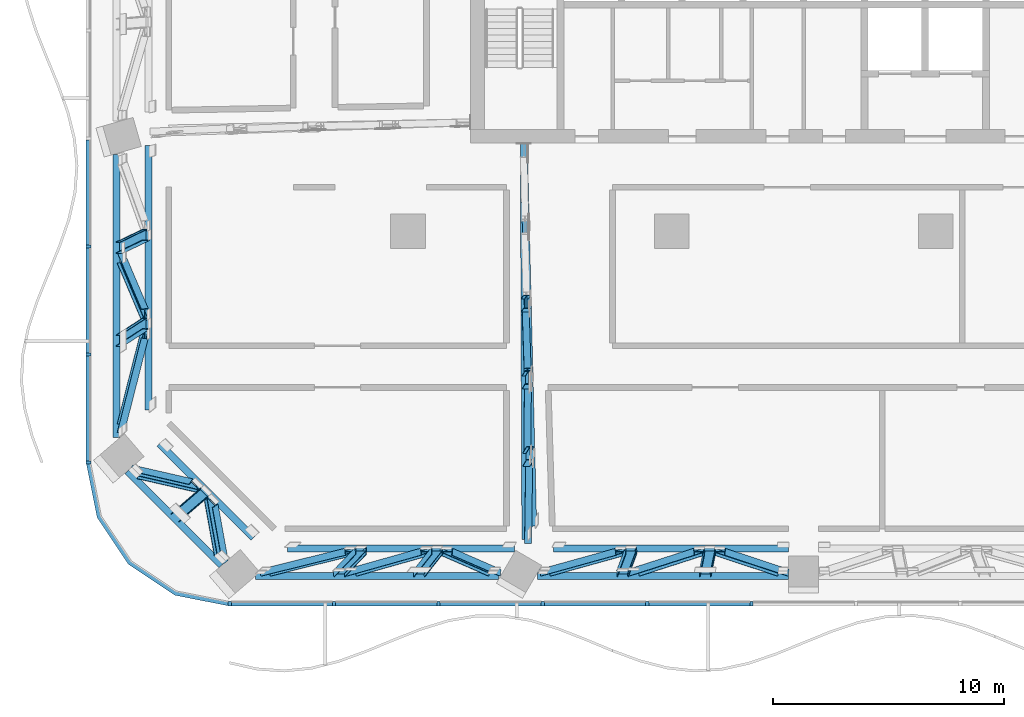
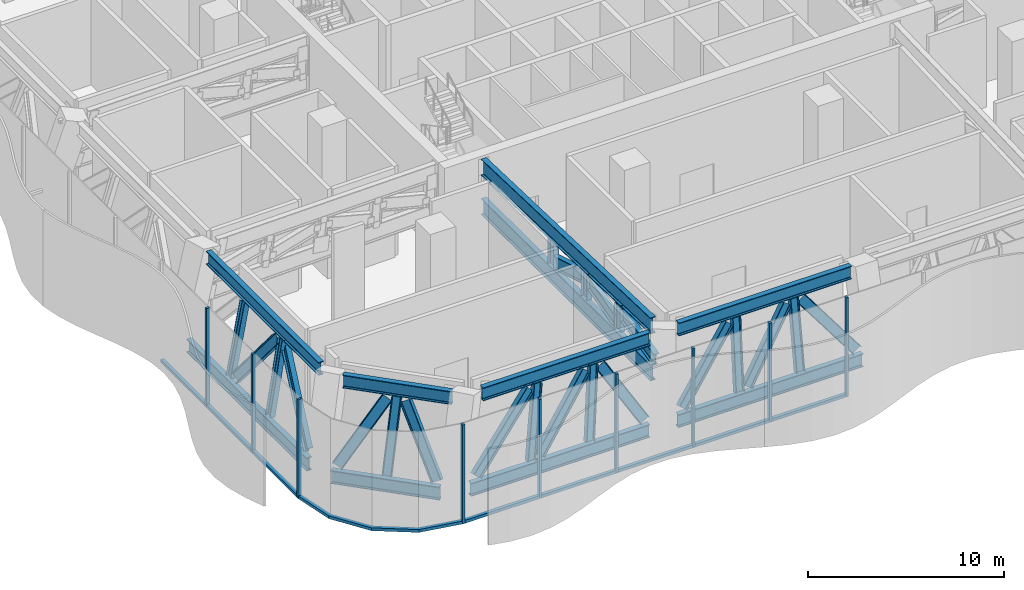
# One storey, part 2 of 32: 51 members, 3 elements without a shape of their own.
"""IFC4 building model written with IfcOpenShell, lengths in metres."""

from ifc_helpers import new_model, si_unit, direction, frame, origin, origin_2d, place, context, subcontext, project, spatial, polyline, rectangle, i_section, outline, extrude, material, material_profile, profile_set, type_object, element, aggregate, save


model = new_model("IFC4")

# Units and contexts
model_context = context("Model", 3, precision=1e-05, world=origin(), true_north=direction((0.0, 1.0)))
body_context = subcontext(model_context, "Body", "Model", "MODEL_VIEW")
ifc_project = project(units=[si_unit("LENGTHUNIT", "METRE"), si_unit("AREAUNIT", "SQUARE_METRE"), si_unit("VOLUMEUNIT", "CUBIC_METRE"), si_unit("PLANEANGLEUNIT", "RADIAN"), si_unit("MASSUNIT", "GRAM", prefix="KILO")], contexts=[model_context])

# Site, building, storey
site_placement = place(None, origin())
site = spatial("IfcSite", under=ifc_project, at=site_placement, CompositionType="ELEMENT")
building_placement = place(site_placement, origin())
building = spatial("IfcBuilding", under=site, at=building_placement, Name="Mopane Tessera Tower", CompositionType="ELEMENT")
storey_placement = place(building_placement, frame((0.0, 0.0, 88.60009765625)))
storey = spatial("IfcBuildingStorey", under=building, at=storey_placement, Name="L17", CompositionType="ELEMENT", Elevation=88.60009765625)

# Curtain wall, members
ifc_material_1 = material(Name="Aluminium frame", Category="aluminium")
curtain_wall_type = type_object("IfcCurtainWallType", Name="Plant floor unitised wall", PredefinedType="NOTDEFINED", material=ifc_material_1)
curtain_wall_1_placement = place(storey_placement, origin())
curtain_wall_1 = element("IfcCurtainWall", 1, at=curtain_wall_1_placement, inside=storey, type_object=curtain_wall_type, Name="e:cw:L17:S:0", PredefinedType="NOTDEFINED")
ifc_material_2 = material(Name="Aluminium frame", Category="aluminium")
ifc_material_profile_1 = material_profile(ifc_material_2, rectangle(XDim=0.139892578125, YDim=0.199951171875, at=origin_2d()))
ifc_profile_set_1 = profile_set([ifc_material_profile_1], Name="Aluminium frame")
member_type_1 = type_object("IfcMemberType", Name="Aluminium mullion 140 x 200", PredefinedType="MULLION", material=ifc_profile_set_1)
member_1_placement = place(storey_placement, frame((-24.800048828125, -27.10009765625, -0.60009765625), z_axis=(0.0, 0.0, 1.0), x_axis=(1.0, 0.0, 0.0)))
member_1 = element("IfcMember", 2, at=member_1_placement, type_object=member_type_1, Name="e:cw:L17:S:0:mu0", PredefinedType="MULLION", context=body_context, shape_type="SweptSolid", body=[
    extrude(rectangle(XDim=0.139892578125, YDim=0.199951171875, at=origin_2d()), origin(), (0.0, 0.0, 1.0), 6.14990234375),
])
member_2_placement = place(storey_placement, frame((-20.291015625, -27.10009765625, -0.60009765625), z_axis=(0.0, 0.0, 1.0), x_axis=(1.0, 0.0, 0.0)))
member_2 = element("IfcMember", 3, at=member_2_placement, type_object=member_type_1, Name="e:cw:L17:S:0:mu1", PredefinedType="MULLION", context=body_context, shape_type="SweptSolid", body=[
    extrude(rectangle(XDim=0.139892578125, YDim=0.199951171875, at=origin_2d()), origin(), (0.0, 0.0, 1.0), 6.14990234375),
])
member_3_placement = place(storey_placement, frame((-15.78173828125, -27.10009765625, -0.60009765625), z_axis=(0.0, 0.0, 1.0), x_axis=(1.0, 0.0, 0.0)))
member_3 = element("IfcMember", 4, at=member_3_placement, type_object=member_type_1, Name="e:cw:L17:S:0:mu2", PredefinedType="MULLION", context=body_context, shape_type="SweptSolid", body=[
    extrude(rectangle(XDim=0.139892578125, YDim=0.199951171875, at=origin_2d()), origin(), (0.0, 0.0, 1.0), 6.14990234375),
])
member_4_placement = place(storey_placement, frame((-11.272705078125, -27.10009765625, -0.60009765625), z_axis=(0.0, 0.0, 1.0), x_axis=(1.0, 0.0, 0.0)))
member_4 = element("IfcMember", 5, at=member_4_placement, type_object=member_type_1, Name="e:cw:L17:S:0:mu3", PredefinedType="MULLION", context=body_context, shape_type="SweptSolid", body=[
    extrude(rectangle(XDim=0.139892578125, YDim=0.199951171875, at=origin_2d()), origin(), (0.0, 0.0, 1.0), 6.14990234375),
])
member_5_placement = place(storey_placement, frame((-6.763671875, -27.10009765625, -0.60009765625), z_axis=(0.0, 0.0, 1.0), x_axis=(1.0, 0.0, 0.0)))
member_5 = element("IfcMember", 6, at=member_5_placement, type_object=member_type_1, Name="e:cw:L17:S:0:mu4", PredefinedType="MULLION", context=body_context, shape_type="SweptSolid", body=[
    extrude(rectangle(XDim=0.139892578125, YDim=0.199951171875, at=origin_2d()), origin(), (0.0, 0.0, 1.0), 6.14990234375),
])
member_6_placement = place(storey_placement, frame((-2.254638671875, -27.10009765625, -0.60009765625), z_axis=(0.0, 0.0, 1.0), x_axis=(1.0, 0.0, 0.0)))
member_6 = element("IfcMember", 7, at=member_6_placement, type_object=member_type_1, Name="e:cw:L17:S:0:mu5", PredefinedType="MULLION", context=body_context, shape_type="SweptSolid", body=[
    extrude(rectangle(XDim=0.139892578125, YDim=0.199951171875, at=origin_2d()), origin(), (0.0, 0.0, 1.0), 6.14990234375),
])

curtain_wall_2_placement = place(storey_placement, origin())
curtain_wall_2 = element("IfcCurtainWall", 8, at=curtain_wall_2_placement, inside=storey, type_object=curtain_wall_type, Name="e:cw:L17:W:0", PredefinedType="NOTDEFINED")
member_7_placement = place(storey_placement, frame((-30.89990234375, -11.666748046875, -0.60009765625), z_axis=(0.0, 0.0, 1.0), x_axis=(0.0, -1.0, 0.0)))
member_7 = element("IfcMember", 9, at=member_7_placement, type_object=member_type_1, Name="e:cw:L17:W:0:mu7", PredefinedType="MULLION", context=body_context, shape_type="SweptSolid", body=[
    extrude(rectangle(XDim=0.139892578125, YDim=0.199951171875, at=origin_2d()), origin(), (0.0, 0.0, 1.0), 6.14990234375),
])
member_8_placement = place(storey_placement, frame((-30.89990234375, -16.333251953125, -0.60009765625), z_axis=(0.0, 0.0, 1.0), x_axis=(0.0, -1.0, 0.0)))
member_8 = element("IfcMember", 10, at=member_8_placement, type_object=member_type_1, Name="e:cw:L17:W:0:mu8", PredefinedType="MULLION", context=body_context, shape_type="SweptSolid", body=[
    extrude(rectangle(XDim=0.139892578125, YDim=0.199951171875, at=origin_2d()), origin(), (0.0, 0.0, 1.0), 6.14990234375),
])
member_9_placement = place(storey_placement, frame((-30.89990234375, -21.0, -0.60009765625), z_axis=(0.0, 0.0, 1.0), x_axis=(0.0, -1.0, 0.0)))
member_9 = element("IfcMember", 11, at=member_9_placement, type_object=member_type_1, Name="e:cw:L17:W:0:mu9", PredefinedType="MULLION", context=body_context, shape_type="SweptSolid", body=[
    extrude(rectangle(XDim=0.139892578125, YDim=0.199951171875, at=origin_2d()), origin(), (0.0, 0.0, 1.0), 6.14990234375),
])

# Member
ifc_material_3 = material(Name="Aluminium frame", Category="aluminium")
ifc_material_profile_2 = material_profile(ifc_material_3, rectangle(XDim=0.199951171875, YDim=0.179931640625, at=origin_2d()))
ifc_profile_set_2 = profile_set([ifc_material_profile_2], Name="Aluminium frame")
member_type_2 = type_object("IfcMemberType", Name="Aluminium transom 200 x 180", PredefinedType="USERDEFINED", material=ifc_profile_set_2)
member_10_placement = place(storey_placement, frame((-24.72998046875, -27.10009765625, -0.510009765625), z_axis=(1.0, 0.0, 0.0), x_axis=(0.0, 1.0, 0.0)))
member_10 = element("IfcMember", 12, at=member_10_placement, type_object=member_type_2, Name="e:cw:L17:S:0:tr0", ObjectType="TRANSOM", PredefinedType="USERDEFINED", context=body_context, shape_type="SweptSolid", body=[
    extrude(rectangle(XDim=0.199951171875, YDim=0.179931640625, at=origin_2d()), origin(), (0.0, 0.0, 1.0), 4.369140625),
])

member_11_placement = place(storey_placement, frame((-20.220947265625, -27.10009765625, -0.510009765625), z_axis=(1.0, 0.0, 0.0), x_axis=(0.0, 1.0, 0.0)))
member_11 = element("IfcMember", 13, at=member_11_placement, type_object=member_type_2, Name="e:cw:L17:S:0:tr1", ObjectType="TRANSOM", PredefinedType="USERDEFINED", context=body_context, shape_type="SweptSolid", body=[
    extrude(rectangle(XDim=0.199951171875, YDim=0.179931640625, at=origin_2d()), origin(), (0.0, 0.0, 1.0), 4.369140625),
])

member_12_placement = place(storey_placement, frame((-15.7119140625, -27.10009765625, -0.510009765625), z_axis=(1.0, 0.0, 0.0), x_axis=(0.0, 1.0, 0.0)))
member_12 = element("IfcMember", 14, at=member_12_placement, type_object=member_type_2, Name="e:cw:L17:S:0:tr2", ObjectType="TRANSOM", PredefinedType="USERDEFINED", context=body_context, shape_type="SweptSolid", body=[
    extrude(rectangle(XDim=0.199951171875, YDim=0.179931640625, at=origin_2d()), origin(), (0.0, 0.0, 1.0), 4.369140625),
])

member_13_placement = place(storey_placement, frame((-11.20263671875, -27.10009765625, -0.510009765625), z_axis=(1.0, 0.0, 0.0), x_axis=(0.0, 1.0, 0.0)))
member_13 = element("IfcMember", 15, at=member_13_placement, type_object=member_type_2, Name="e:cw:L17:S:0:tr3", ObjectType="TRANSOM", PredefinedType="USERDEFINED", context=body_context, shape_type="SweptSolid", body=[
    extrude(rectangle(XDim=0.199951171875, YDim=0.179931640625, at=origin_2d()), origin(), (0.0, 0.0, 1.0), 4.368896484375),
])

member_14_placement = place(storey_placement, frame((-6.693603515625, -27.10009765625, -0.510009765625), z_axis=(1.0, 0.0, 0.0), x_axis=(0.0, 1.0, 0.0)))
member_14 = element("IfcMember", 16, at=member_14_placement, type_object=member_type_2, Name="e:cw:L17:S:0:tr4", ObjectType="TRANSOM", PredefinedType="USERDEFINED", context=body_context, shape_type="SweptSolid", body=[
    extrude(rectangle(XDim=0.199951171875, YDim=0.179931640625, at=origin_2d()), origin(), (0.0, 0.0, 1.0), 4.369140625),
])

aggregate(curtain_wall_1, [member_1, member_2, member_3, member_4, member_5, member_6, member_10, member_11, member_12, member_13, member_14])

member_15_placement = place(storey_placement, frame((-30.89990234375, -7.070068359375, -0.510009765625), z_axis=(0.0, -1.0, 0.0), x_axis=(1.0, 0.0, 0.0)))
member_15 = element("IfcMember", 17, at=member_15_placement, type_object=member_type_2, Name="e:cw:L17:W:0:tr6", ObjectType="TRANSOM", PredefinedType="USERDEFINED", context=body_context, shape_type="SweptSolid", body=[
    extrude(rectangle(XDim=0.199951171875, YDim=0.179931640625, at=origin_2d()), origin(), (0.0, 0.0, 1.0), 4.526611328125),
])

member_16_placement = place(storey_placement, frame((-30.89990234375, -11.736572265625, -0.510009765625), z_axis=(0.0, -1.0, 0.0), x_axis=(1.0, 0.0, 0.0)))
member_16 = element("IfcMember", 18, at=member_16_placement, type_object=member_type_2, Name="e:cw:L17:W:0:tr7", ObjectType="TRANSOM", PredefinedType="USERDEFINED", context=body_context, shape_type="SweptSolid", body=[
    extrude(rectangle(XDim=0.199951171875, YDim=0.179931640625, at=origin_2d()), origin(), (0.0, 0.0, 1.0), 4.52685546875),
])

member_17_placement = place(storey_placement, frame((-30.89990234375, -16.4033203125, -0.510009765625), z_axis=(0.0, -1.0, 0.0), x_axis=(1.0, 0.0, 0.0)))
member_17 = element("IfcMember", 19, at=member_17_placement, type_object=member_type_2, Name="e:cw:L17:W:0:tr8", ObjectType="TRANSOM", PredefinedType="USERDEFINED", context=body_context, shape_type="SweptSolid", body=[
    extrude(rectangle(XDim=0.199951171875, YDim=0.179931640625, at=origin_2d()), origin(), (0.0, 0.0, 1.0), 4.526611328125),
])

aggregate(curtain_wall_2, [member_7, member_8, member_9, member_15, member_16, member_17])

# Curtain wall, member
curtain_wall_3_placement = place(storey_placement, origin())
curtain_wall_3 = element("IfcCurtainWall", 20, at=curtain_wall_3_placement, inside=storey, type_object=curtain_wall_type, Name="e:cw:L17:CW", PredefinedType="NOTDEFINED")
member_18_placement = place(storey_placement, frame((0.0, 0.0, -0.60009765625)))
member_18 = element("IfcMember", 21, at=member_18_placement, type_object=member_type_2, Name="e:cw:L17:CW:tr", ObjectType="TRANSOM", PredefinedType="USERDEFINED", context=body_context, shape_type="SweptSolid", body=[
    extrude(outline(polyline([(-30.800048828125, -21.0), (-30.34326171875, -23.296142578125), (-29.042724609375, -25.24267578125), (-27.09619140625, -26.543212890625), (-24.800048828125, -27.0), (-24.800048828125, -27.199951171875), (-27.172607421875, -26.72802734375), (-29.18408203125, -25.384033203125), (-30.528076171875, -23.37255859375), (-31.0, -21.0), (-30.800048828125, -21.0)])), origin(), (0.0, 0.0, 1.0), 0.179931640625),
])
aggregate(curtain_wall_3, [member_18])

# Members
ifc_material_4 = material(Name="Structural steel S460", Category="steel")
ifc_material_profile_3 = material_profile(ifc_material_4, i_section(OverallWidth=0.302978515625, OverallDepth=0.81396484375, WebThickness=0.02099609375, FlangeThickness=0.0400390625, FilletRadius=0.030029296875, at=origin_2d()))
ifc_profile_set_3 = profile_set([ifc_material_profile_3], Name="Structural steel S460")
member_type_3 = type_object("IfcMemberType", Name="Belt truss chord HE 800 M", PredefinedType="CHORD", material=ifc_profile_set_3)
member_19_placement = place(storey_placement, frame((-23.68896484375, -25.898193359375, 0.406982421875), z_axis=(1.0, 0.0, 0.0), x_axis=(0.0, 1.0, 0.0)))
element("IfcMember", 22, at=member_19_placement, inside=storey, type_object=member_type_3, Name="Belt truss bottom chord L17 S0-S1", PredefinedType="CHORD", context=body_context, shape_type="SweptSolid", body=[
    extrude(i_section(OverallWidth=0.302978515625, OverallDepth=0.81396484375, WebThickness=0.02099609375, FlangeThickness=0.0400390625, FilletRadius=0.030029296875, at=origin_2d()), origin(), (0.0, 0.0, 1.0), 10.508056640625),
])
member_20_placement = place(storey_placement, frame((-22.3076171875, -24.71435546875, 5.142822265625), z_axis=(1.0, 0.0, 0.0), x_axis=(0.0, 1.0, 0.0)))
element("IfcMember", 23, at=member_20_placement, inside=storey, type_object=member_type_3, Name="Belt truss top chord L17 S0-S1", PredefinedType="CHORD", context=body_context, shape_type="SweptSolid", body=[
    extrude(i_section(OverallWidth=0.302978515625, OverallDepth=0.81396484375, WebThickness=0.02099609375, FlangeThickness=0.0400390625, FilletRadius=0.030029296875, at=origin_2d()), origin(), (0.0, 0.0, 1.0), 9.8173828125),
])
member_21_placement = place(storey_placement, frame((-11.500244140625, -25.898193359375, 0.406982421875), z_axis=(1.0, 0.0, 0.0), x_axis=(0.0, 1.0, 0.0)))
element("IfcMember", 24, at=member_21_placement, inside=storey, type_object=member_type_3, Name="Belt truss bottom chord L17 S1-S2", PredefinedType="CHORD", context=body_context, shape_type="SweptSolid", body=[
    extrude(i_section(OverallWidth=0.302978515625, OverallDepth=0.81396484375, WebThickness=0.02099609375, FlangeThickness=0.0400390625, FilletRadius=0.030029296875, at=origin_2d()), origin(), (0.0, 0.0, 1.0), 10.850830078125),
])
member_22_placement = place(storey_placement, frame((-10.8095703125, -24.71435546875, 5.142822265625), z_axis=(1.0, 0.0, 0.0), x_axis=(0.0, 1.0, 0.0)))
element("IfcMember", 25, at=member_22_placement, inside=storey, type_object=member_type_3, Name="Belt truss top chord L17 S1-S2", PredefinedType="CHORD", context=body_context, shape_type="SweptSolid", body=[
    extrude(i_section(OverallWidth=0.302978515625, OverallDepth=0.81396484375, WebThickness=0.02099609375, FlangeThickness=0.0400390625, FilletRadius=0.030029296875, at=origin_2d()), origin(), (0.0, 0.0, 1.0), 10.16015625),
])
member_23_placement = place(storey_placement, frame((-29.681396484375, -7.684814453125, 0.406982421875), z_axis=(0.0, -1.0, 0.0), x_axis=(1.0, 0.0, 0.0)))
element("IfcMember", 26, at=member_23_placement, inside=storey, type_object=member_type_3, Name="Belt truss bottom chord L17 W2-W3", PredefinedType="CHORD", context=body_context, shape_type="SweptSolid", body=[
    extrude(i_section(OverallWidth=0.302978515625, OverallDepth=0.81396484375, WebThickness=0.02099609375, FlangeThickness=0.0400390625, FilletRadius=0.030029296875, at=origin_2d()), origin(), (0.0, 0.0, 1.0), 12.22802734375),
])
member_24_placement = place(storey_placement, frame((-28.300048828125, -7.290283203125, 5.142822265625), z_axis=(0.0, -1.0, 0.0), x_axis=(1.0, 0.0, 0.0)))
element("IfcMember", 27, at=member_24_placement, inside=storey, type_object=member_type_3, Name="Belt truss top chord L17 W2-W3", PredefinedType="CHORD", context=body_context, shape_type="SweptSolid", body=[
    extrude(i_section(OverallWidth=0.302978515625, OverallDepth=0.81396484375, WebThickness=0.02099609375, FlangeThickness=0.0400390625, FilletRadius=0.030029296875, at=origin_2d()), origin(), (0.0, 0.0, 1.0), 11.438720703125),
])
for number, where, z_axis, x_axis, name in (
    (28, (-29.21240234375, -21.3671875, 0.406982421875), (0.707106781187, -0.707106781187, 0.0), (0.707106781187, 0.707106781187, 0.0), "Belt truss bottom chord L17 W3-S0"),
    (29, (-27.8310546875, -20.18310546875, 5.142822265625), (0.707106781187, -0.707106781187, 0.0), (0.707106781187, 0.707106781187, 0.0), "Belt truss top chord L17 W3-S0"),
):
    element("IfcMember", number, at=place(storey_placement, frame(where, z_axis=z_axis, x_axis=x_axis)), inside=storey, type_object=member_type_3, Name=name, PredefinedType="CHORD", context=body_context, shape_type="SweptSolid", body=[
        extrude(i_section(OverallWidth=0.302978515625, OverallDepth=0.81396484375, WebThickness=0.02099609375, FlangeThickness=0.0400390625, FilletRadius=0.030029296875, at=origin_2d()), origin(), (0.0, 0.0, 1.0), 5.744873046875),
    ])
ifc_material_5 = material(Name="Structural steel S460", Category="steel")
ifc_material_profile_4 = material_profile(ifc_material_5, i_section(OverallWidth=0.300048828125, OverallDepth=0.60009765625, WebThickness=0.015380859375, FlangeThickness=0.030029296875, FilletRadius=0.027099609375, at=origin_2d()))
ifc_profile_set_4 = profile_set([ifc_material_profile_4], Name="Structural steel S460")
member_type_4 = type_object("IfcMemberType", Name="Belt truss diagonal HE 600 B", PredefinedType="BRACE", material=ifc_profile_set_4)
member_25_placement = place(storey_placement, frame((-23.262451171875, -25.7587890625, 0.96484375), z_axis=(0.699650362609, 0.173288160232, 0.693152640928), x_axis=(-0.123111197199, 0.984871165894, -0.121952530583)))
element("IfcMember", 30, at=member_25_placement, inside=storey, type_object=member_type_4, Name="Belt truss diagonal 0 L17 S0-S1", PredefinedType="BRACE", context=body_context, shape_type="SweptSolid", body=[
    extrude(i_section(OverallWidth=0.300048828125, OverallDepth=0.60009765625, WebThickness=0.015380859375, FlangeThickness=0.030029296875, FilletRadius=0.027099609375, at=origin_2d()), origin(), (0.0, 0.0, 1.0), 5.22265625),
])
member_26_placement = place(storey_placement, frame((-19.562744140625, -25.76220703125, 0.950927734375), z_axis=(0.653014036863, 0.183660197868, 0.734739136959), x_axis=(-0.121992744875, 0.98298979207, -0.13729107358)))
element("IfcMember", 31, at=member_26_placement, inside=storey, type_object=member_type_4, Name="Belt truss diagonal 1 L17 S0-S1", PredefinedType="BRACE", context=body_context, shape_type="SweptSolid", body=[
    extrude(i_section(OverallWidth=0.300048828125, OverallDepth=0.60009765625, WebThickness=0.015380859375, FlangeThickness=0.030029296875, FilletRadius=0.027099609375, at=origin_2d()), origin(), (0.0, 0.0, 1.0), 4.96484375),
])
member_27_placement = place(storey_placement, frame((-15.432373046875, -24.853759765625, 4.5849609375), z_axis=(0.486371976666, -0.211915951751, -0.847663807006), x_axis=(0.105491827337, 0.97728789438, -0.183792942911)))
element("IfcMember", 32, at=member_27_placement, inside=storey, type_object=member_type_4, Name="Belt truss diagonal 2 L17 S0-S1", PredefinedType="BRACE", context=body_context, shape_type="SweptSolid", body=[
    extrude(i_section(OverallWidth=0.300048828125, OverallDepth=0.60009765625, WebThickness=0.015380859375, FlangeThickness=0.030029296875, FilletRadius=0.027099609375, at=origin_2d()), origin(), (0.0, 0.0, 1.0), 4.270751953125),
])
member_28_placement = place(storey_placement, frame((-11.16748046875, -25.757080078125, 0.97119140625), z_axis=(0.658870753791, 0.182448917879, 0.729795671516), x_axis=(-0.122259863731, 0.983215333665, -0.135425748537)))
element("IfcMember", 33, at=member_28_placement, inside=storey, type_object=member_type_4, Name="Belt truss diagonal 0 L17 S1-S2", PredefinedType="BRACE", context=body_context, shape_type="SweptSolid", body=[
    extrude(i_section(OverallWidth=0.300048828125, OverallDepth=0.60009765625, WebThickness=0.015380859375, FlangeThickness=0.030029296875, FilletRadius=0.027099609375, at=origin_2d()), origin(), (0.0, 0.0, 1.0), 4.943115234375),
])
member_29_placement = place(storey_placement, frame((-7.345947265625, -25.760498046875, 0.957763671875), z_axis=(0.603618158077, 0.193342787828, 0.773475071114), x_axis=(-0.118954269211, 0.98113126867, -0.152418225533)))
element("IfcMember", 34, at=member_29_placement, inside=storey, type_object=member_type_4, Name="Belt truss diagonal 1 L17 S1-S2", PredefinedType="BRACE", context=body_context, shape_type="SweptSolid", body=[
    extrude(i_section(OverallWidth=0.300048828125, OverallDepth=0.60009765625, WebThickness=0.015380859375, FlangeThickness=0.030029296875, FilletRadius=0.027099609375, at=origin_2d()), origin(), (0.0, 0.0, 1.0), 4.69873046875),
])
member_30_placement = place(storey_placement, frame((-3.62939453125, -24.855224609375, 4.57861328125), z_axis=(0.593142183099, -0.195264880525, -0.781059522099), x_axis=(0.118076767336, 0.980750542203, -0.155519294574)))
element("IfcMember", 35, at=member_30_placement, inside=storey, type_object=member_type_4, Name="Belt truss diagonal 2 L17 S1-S2", PredefinedType="BRACE", context=body_context, shape_type="SweptSolid", body=[
    extrude(i_section(OverallWidth=0.300048828125, OverallDepth=0.60009765625, WebThickness=0.015380859375, FlangeThickness=0.030029296875, FilletRadius=0.027099609375, at=origin_2d()), origin(), (0.0, 0.0, 1.0), 4.61865234375),
])
member_31_placement = place(storey_placement, frame((-29.513916015625, -12.13525390625, 0.98095703125), z_axis=(0.233796253247, -0.550179423763, 0.8016494955), x_axis=(0.972285612305, 0.132303591116, -0.192760078548)))
element("IfcMember", 36, at=member_31_placement, inside=storey, type_object=member_type_4, Name="Belt truss diagonal 1 L17 W2-W3", PredefinedType="BRACE", context=body_context, shape_type="SweptSolid", body=[
    extrude(i_section(OverallWidth=0.300048828125, OverallDepth=0.60009765625, WebThickness=0.015380859375, FlangeThickness=0.030029296875, FilletRadius=0.027099609375, at=origin_2d()), origin(), (0.0, 0.0, 1.0), 4.4755859375),
])
member_32_placement = place(storey_placement, frame((-28.470703125, -15.44384765625, 4.557861328125), z_axis=(-0.188412877586, -0.739719572213, -0.645999645545), x_axis=(0.982089908077, -0.141916811889, -0.12393155755)))
element("IfcMember", 37, at=member_32_placement, inside=storey, type_object=member_type_4, Name="Belt truss diagonal 2 L17 W2-W3", PredefinedType="BRACE", context=body_context, shape_type="SweptSolid", body=[
    extrude(i_section(OverallWidth=0.300048828125, OverallDepth=0.60009765625, WebThickness=0.015380859375, FlangeThickness=0.030029296875, FilletRadius=0.027099609375, at=origin_2d()), origin(), (0.0, 0.0, 1.0), 5.52001953125),
])
member_33_placement = place(storey_placement, frame((-28.890869140625, -21.40576171875, 0.929443359375), z_axis=(0.569875535143, -0.130407528995, 0.811317293558), x_axis=(0.557621124298, 0.786576730003, -0.265246544848)))
element("IfcMember", 38, at=member_33_placement, inside=storey, type_object=member_type_4, Name="Belt truss diagonal 0 L17 W3-S0", PredefinedType="BRACE", context=body_context, shape_type="SweptSolid", body=[
    extrude(i_section(OverallWidth=0.300048828125, OverallDepth=0.60009765625, WebThickness=0.015380859375, FlangeThickness=0.030029296875, FilletRadius=0.027099609375, at=origin_2d()), origin(), (0.0, 0.0, 1.0), 4.54931640625),
])
member_34_placement = place(storey_placement, frame((-25.6064453125, -22.69091796875, 4.620361328125), z_axis=(0.098851267283, -0.548569616047, -0.830240810432), x_axis=(0.778985844771, 0.561817424332, -0.278464064761)))
element("IfcMember", 39, at=member_34_placement, inside=storey, type_object=member_type_4, Name="Belt truss diagonal 1 L17 W3-S0", PredefinedType="BRACE", context=body_context, shape_type="SweptSolid", body=[
    extrude(i_section(OverallWidth=0.300048828125, OverallDepth=0.60009765625, WebThickness=0.015380859375, FlangeThickness=0.030029296875, FilletRadius=0.027099609375, at=origin_2d()), origin(), (0.0, 0.0, 1.0), 4.445556640625),
])
ifc_material_6 = material(Name="Structural steel S460", Category="steel")
ifc_material_profile_5 = material_profile(ifc_material_6, i_section(OverallWidth=0.300048828125, OverallDepth=0.5, WebThickness=0.014404296875, FlangeThickness=0.028076171875, FilletRadius=0.027099609375, at=origin_2d()))
ifc_profile_set_5 = profile_set([ifc_material_profile_5], Name="Structural steel S460")
member_type_5 = type_object("IfcMemberType", Name="Belt truss post HE 500 B", PredefinedType="POST", material=ifc_profile_set_5)
member_35_placement = place(storey_placement, frame((-20.066650390625, -25.79638671875, 0.81396484375), z_axis=(0.225241193475, 0.236303195662, 0.945212782648), x_axis=(-0.054739580111, 0.971679370141, -0.229875575064)))
element("IfcMember", 40, at=member_35_placement, inside=storey, type_object=member_type_5, Name="Belt truss post 1 L17 S0-S1", PredefinedType="POST", context=body_context, shape_type="SweptSolid", body=[
    extrude(i_section(OverallWidth=0.300048828125, OverallDepth=0.5, WebThickness=0.014404296875, FlangeThickness=0.028076171875, FilletRadius=0.027099609375, at=origin_2d()), origin(), (0.0, 0.0, 1.0), 4.149169921875),
])
member_36_placement = place(storey_placement, frame((-16.61669921875, -25.79638671875, 0.81396484375), z_axis=(0.187971798215, 0.238212288303, 0.952849153212), x_axis=(-0.046211648461, 0.971213104539, -0.233686946829)))
element("IfcMember", 41, at=member_36_placement, inside=storey, type_object=member_type_5, Name="Belt truss post 2 L17 S0-S1", PredefinedType="POST", context=body_context, shape_type="SweptSolid", body=[
    extrude(i_section(OverallWidth=0.300048828125, OverallDepth=0.5, WebThickness=0.014404296875, FlangeThickness=0.028076171875, FilletRadius=0.027099609375, at=origin_2d()), origin(), (0.0, 0.0, 1.0), 4.115966796875),
])
member_37_placement = place(storey_placement, frame((-7.8251953125, -25.79638671875, 0.81396484375), z_axis=(0.089801461096, 0.241555705131, 0.966222820525), x_axis=(-0.022278065157, 0.970386951601, -0.240526198105)))
element("IfcMember", 42, at=member_37_placement, inside=storey, type_object=member_type_5, Name="Belt truss post 1 L17 S1-S2", PredefinedType="POST", context=body_context, shape_type="SweptSolid", body=[
    extrude(i_section(OverallWidth=0.300048828125, OverallDepth=0.5, WebThickness=0.014404296875, FlangeThickness=0.028076171875, FilletRadius=0.027099609375, at=origin_2d()), origin(), (0.0, 0.0, 1.0), 4.05908203125),
])
member_38_placement = place(storey_placement, frame((-4.2548828125, -25.79638671875, 0.81396484375), z_axis=(0.048979720159, 0.242244527288, 0.96897810915), x_axis=(-0.012139383432, 0.97021522425, -0.24194018683)))
element("IfcMember", 43, at=member_38_placement, inside=storey, type_object=member_type_5, Name="Belt truss post 2 L17 S1-S2", PredefinedType="POST", context=body_context, shape_type="SweptSolid", body=[
    extrude(i_section(OverallWidth=0.300048828125, OverallDepth=0.5, WebThickness=0.014404296875, FlangeThickness=0.028076171875, FilletRadius=0.027099609375, at=origin_2d()), origin(), (0.0, 0.0, 1.0), 4.04736328125),
])
member_39_placement = place(storey_placement, frame((-29.562744140625, -11.712646484375, 0.81396484375), z_axis=(0.277512695679, 0.133959393433, 0.951336735677), x_axis=(0.96072196985, -0.038715535567, -0.274798842708)))
element("IfcMember", 44, at=member_39_placement, inside=storey, type_object=member_type_5, Name="Belt truss post 1 L17 W2-W3", PredefinedType="POST", context=body_context, shape_type="SweptSolid", body=[
    extrude(i_section(OverallWidth=0.300048828125, OverallDepth=0.5, WebThickness=0.014404296875, FlangeThickness=0.028076171875, FilletRadius=0.027099609375, at=origin_2d()), origin(), (0.0, 0.0, 1.0), 4.12255859375),
])
member_40_placement = place(storey_placement, frame((-29.562744140625, -15.73486328125, 0.81396484375), z_axis=(0.275529715303, 0.178688605379, 0.944538913065), x_axis=(0.961292554793, -0.051207070691, -0.270729496012)))
element("IfcMember", 45, at=member_40_placement, inside=storey, type_object=member_type_5, Name="Belt truss post 2 L17 W2-W3", PredefinedType="POST", context=body_context, shape_type="SweptSolid", body=[
    extrude(i_section(OverallWidth=0.300048828125, OverallDepth=0.5, WebThickness=0.014404296875, FlangeThickness=0.028076171875, FilletRadius=0.027099609375, at=origin_2d()), origin(), (0.0, 0.0, 1.0), 4.152099609375),
])
member_41_placement = place(storey_placement, frame((-27.062744140625, -23.29638671875, 0.81396484375), z_axis=(0.272304312677, 0.233370490762, 0.933481963049), x_axis=(0.652958739666, 0.667758104727, -0.357412923472)))
element("IfcMember", 46, at=member_41_placement, inside=storey, type_object=member_type_5, Name="Belt truss post 1 L17 W3-S0", PredefinedType="POST", context=body_context, shape_type="SweptSolid", body=[
    extrude(i_section(OverallWidth=0.300048828125, OverallDepth=0.5, WebThickness=0.014404296875, FlangeThickness=0.028076171875, FilletRadius=0.027099609375, at=origin_2d()), origin(), (0.0, 0.0, 1.0), 4.201416015625),
])
ifc_material_7 = material(Name="Structural steel S460", Category="steel")
ifc_material_profile_6 = material_profile(ifc_material_7, i_section(OverallWidth=0.302001953125, OverallDepth=1.008056640625, WebThickness=0.02099609375, FlangeThickness=0.0400390625, FilletRadius=0.030029296875, at=origin_2d()))
ifc_profile_set_6 = profile_set([ifc_material_profile_6], Name="Structural steel S460")
member_type_6 = type_object("IfcMemberType", Name="Outrigger truss chord HE 1000 M", PredefinedType="CHORD", material=ifc_profile_set_6)
member_42_placement = place(storey_placement, frame((-12.093505859375, -7.215087890625, 2.60400390625), z_axis=(0.004037978608, -0.999991847331, 0.0), x_axis=(0.999991847331, 0.004037978608, 0.0)))
element("IfcMember", 47, at=member_42_placement, inside=storey, type_object=member_type_6, Name="Outrigger truss bottom chord L17 S1", PredefinedType="CHORD", context=body_context, shape_type="SweptSolid", body=[
    extrude(i_section(OverallWidth=0.302001953125, OverallDepth=1.008056640625, WebThickness=0.02099609375, FlangeThickness=0.0400390625, FilletRadius=0.030029296875, at=origin_2d()), origin(), (0.0, 0.0, 1.0), 17.110595703125),
])
member_43_placement = place(storey_placement, frame((-12.09326171875, -7.215087890625, 5.0458984375), z_axis=(0.024489139144, -0.999700096061, 0.0), x_axis=(0.999700096061, 0.024489139144, 0.0)))
element("IfcMember", 48, at=member_43_placement, inside=storey, type_object=member_type_6, Name="Outrigger truss top chord L17 S1", PredefinedType="CHORD", context=body_context, shape_type="SweptSolid", body=[
    extrude(i_section(OverallWidth=0.302001953125, OverallDepth=1.008056640625, WebThickness=0.02099609375, FlangeThickness=0.0400390625, FilletRadius=0.030029296875, at=origin_2d()), origin(), (0.0, 0.0, 1.0), 16.5390625),
])
ifc_material_8 = material(Name="Structural steel S460", Category="steel")
ifc_material_profile_7 = material_profile(ifc_material_8, i_section(OverallWidth=0.300048828125, OverallDepth=0.800048828125, WebThickness=0.017578125, FlangeThickness=0.032958984375, FilletRadius=0.030029296875, at=origin_2d()))
ifc_profile_set_7 = profile_set([ifc_material_profile_7], Name="Structural steel S460")
member_type_7 = type_object("IfcMemberType", Name="Outrigger truss diagonal HE 800 B", PredefinedType="BRACE", material=ifc_profile_set_7)
member_44_placement = place(storey_placement, frame((-12.01123046875, -14.5107421875, 3.48486328125), z_axis=(0.032325110509, -0.964787428732, 0.261036979358), x_axis=(0.999476850103, 0.031478870408, -0.007423397234)))
element("IfcMember", 49, at=member_44_placement, inside=storey, type_object=member_type_7, Name="Outrigger truss diagonal 2 L17 S1", PredefinedType="BRACE", context=body_context, shape_type="SweptSolid", body=[
    extrude(i_section(OverallWidth=0.300048828125, OverallDepth=0.800048828125, WebThickness=0.017578125, FlangeThickness=0.032958984375, FilletRadius=0.030029296875, at=origin_2d()), origin(), (0.0, 0.0, 1.0), 2.605712890625),
])
member_45_placement = place(storey_placement, frame((-11.9150390625, -17.73095703125, 4.1650390625), z_axis=(-0.010575951255, -0.96984095145, -0.243509092532), x_axis=(0.999943595217, -0.010019485958, -0.0035236751)))
element("IfcMember", 50, at=member_45_placement, inside=storey, type_object=member_type_7, Name="Outrigger truss diagonal 3 L17 S1", PredefinedType="BRACE", context=body_context, shape_type="SweptSolid", body=[
    extrude(i_section(OverallWidth=0.300048828125, OverallDepth=0.800048828125, WebThickness=0.017578125, FlangeThickness=0.032958984375, FilletRadius=0.030029296875, at=origin_2d()), origin(), (0.0, 0.0, 1.0), 2.793212890625),
])
member_46_placement = place(storey_placement, frame((-11.85986328125, -21.010009765625, 4.1611328125), z_axis=(-0.014344427362, -0.976610598464, -0.214536655076), x_axis=(0.999896732411, -0.013823052949, -0.00393035882)))
element("IfcMember", 51, at=member_46_placement, inside=storey, type_object=member_type_7, Name="Outrigger truss diagonal 4 L17 S1", PredefinedType="BRACE", context=body_context, shape_type="SweptSolid", body=[
    extrude(i_section(OverallWidth=0.300048828125, OverallDepth=0.800048828125, WebThickness=0.017578125, FlangeThickness=0.032958984375, FilletRadius=0.030029296875, at=origin_2d()), origin(), (0.0, 0.0, 1.0), 3.489013671875),
])
ifc_material_9 = material(Name="Structural steel S460", Category="steel")
ifc_material_profile_8 = material_profile(ifc_material_9, i_section(OverallWidth=0.300048828125, OverallDepth=0.60009765625, WebThickness=0.015380859375, FlangeThickness=0.030029296875, FilletRadius=0.027099609375, at=origin_2d()))
ifc_profile_set_8 = profile_set([ifc_material_profile_8], Name="Structural steel S460")
member_type_8 = type_object("IfcMemberType", Name="Outrigger truss post HE 600 B", PredefinedType="POST", material=ifc_profile_set_8)
member_47_placement = place(storey_placement, frame((-12.03662109375, -14.190673828125, 3.10791015625), z_axis=(0.05616720957, 0.096431654985, 0.99375358137), x_axis=(0.998410386832, -0.000754883621, -0.056357161179)))
element("IfcMember", 52, at=member_47_placement, inside=storey, type_object=member_type_8, Name="Outrigger truss post 2 L17 S1", PredefinedType="POST", context=body_context, shape_type="SweptSolid", body=[
    extrude(i_section(OverallWidth=0.300048828125, OverallDepth=0.60009765625, WebThickness=0.015380859375, FlangeThickness=0.030029296875, FilletRadius=0.027099609375, at=origin_2d()), origin(), (0.0, 0.0, 1.0), 1.443115234375),
])
member_48_placement = place(storey_placement, frame((-12.009521484375, -17.529296875, 3.10791015625), z_axis=(0.082461144045, 0.141409945592, 0.986510713074), x_axis=(0.996585600206, -0.007569118949, -0.082218306358)))
element("IfcMember", 53, at=member_48_placement, inside=storey, type_object=member_type_8, Name="Outrigger truss post 3 L17 S1", PredefinedType="POST", context=body_context, shape_type="SweptSolid", body=[
    extrude(i_section(OverallWidth=0.300048828125, OverallDepth=0.60009765625, WebThickness=0.015380859375, FlangeThickness=0.030029296875, FilletRadius=0.027099609375, at=origin_2d()), origin(), (0.0, 0.0, 1.0), 1.45361328125),
])
member_49_placement = place(storey_placement, frame((-11.982177734375, -20.867919921875, 3.10791015625), z_axis=(0.108082375195, 0.185236563026, 0.976732110607), x_axis=(0.994134381447, -0.016306993702, -0.106915450622)))
element("IfcMember", 54, at=member_49_placement, inside=storey, type_object=member_type_8, Name="Outrigger truss post 4 L17 S1", PredefinedType="POST", context=body_context, shape_type="SweptSolid", body=[
    extrude(i_section(OverallWidth=0.300048828125, OverallDepth=0.60009765625, WebThickness=0.015380859375, FlangeThickness=0.030029296875, FilletRadius=0.027099609375, at=origin_2d()), origin(), (0.0, 0.0, 1.0), 1.46826171875),
])

save(model, "model.ifc")
